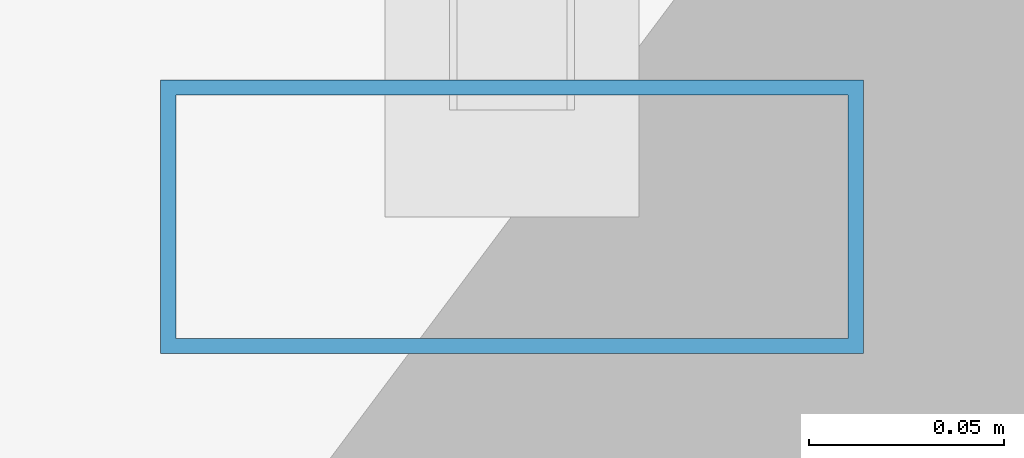
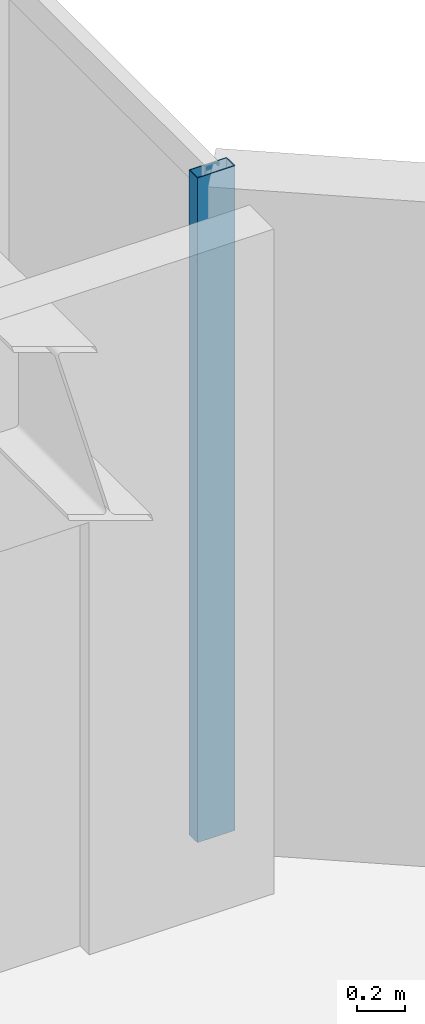
# One storey, part 10 of 25: 1 member, 1 element without a shape of its own.
"""IFC4 building model written with IfcOpenShell, lengths in metres."""

from ifc_helpers import new_model, si_unit, direction, frame, origin, origin_2d, place, context, subcontext, project, spatial, hollow_rectangle, extrude, material, layer, layer_set, material_profile, profile_set, type_object, element, aggregate, save


model = new_model("IFC4")

# Units and contexts
model_context = context("Model", 3, precision=1e-05, world=origin(), true_north=direction((0.0, 1.0)))
body_context = subcontext(model_context, "Body", "Model", "MODEL_VIEW")
ifc_project = project(units=[si_unit("LENGTHUNIT", "METRE"), si_unit("AREAUNIT", "SQUARE_METRE"), si_unit("VOLUMEUNIT", "CUBIC_METRE"), si_unit("PLANEANGLEUNIT", "RADIAN"), si_unit("MASSUNIT", "GRAM", prefix="KILO")], contexts=[model_context])

# Site, building, storey
site_placement = place(None, origin())
site = spatial("IfcSite", under=ifc_project, at=site_placement, CompositionType="ELEMENT")
building_placement = place(site_placement, origin())
building = spatial("IfcBuilding", under=site, at=building_placement, Name="Hatsunagi Terrace Concourse", CompositionType="ELEMENT")
storey_placement = place(building_placement, frame((0.0, 0.0, 220.35009765625)))
storey = spatial("IfcBuildingStorey", under=building, at=storey_placement, Name="L58", CompositionType="ELEMENT", Elevation=220.35009765625)

# Curtain wall, member
ifc_material_1 = material(Name="Anodised Aluminium Alloy 6063-T5", Category="aluminium")
ifc_layer = layer(ifc_material_1, 0.199951171875)
ifc_layer_set = layer_set([ifc_layer], Name="OfficeZone2_CW04")
curtain_wall_type = type_object("IfcCurtainWallType", Name="OfficeZone2_CW04", PredefinedType="NOTDEFINED", material=ifc_layer_set)
curtain_wall_placement = place(storey_placement, origin())
curtain_wall = element("IfcCurtainWall", 1, at=curtain_wall_placement, inside=storey, type_object=curtain_wall_type, Name="Unitised Curtain Wall CW-04 CW-L58-12", PredefinedType="NOTDEFINED")
ifc_material_2 = material(Name="Anodised Aluminium Alloy 6063-T5", Category="aluminium")
ifc_material_profile = material_profile(ifc_material_2, hollow_rectangle(XDim=0.070068359375, YDim=0.179931640625, WallThickness=0.00390625, at=origin_2d()), Name="ALU-MUL-180x70x4")
ifc_profile_set = profile_set([ifc_material_profile], Name="Anodised Aluminium Alloy 6063-T5")
member_type = type_object("IfcMemberType", Name="CurtainWallMullion_180x70", PredefinedType="MULLION", material=ifc_profile_set)
member_placement = place(storey_placement, frame((44.860107421875, 40.72998046875, 0.0), z_axis=(0.0, 0.0, 1.0), x_axis=(0.0, -1.0, 0.0)))
member = element("IfcMember", 2, at=member_placement, type_object=member_type, Name="Curtain Wall Mullion MUL-02", PredefinedType="MULLION", context=body_context, shape_type="SweptSolid", body=[
    extrude(hollow_rectangle(XDim=0.070068359375, YDim=0.179931640625, WallThickness=0.00390625, at=origin_2d()), origin(), (0.0, 0.0, 1.0), 3.349853515625),
])
aggregate(curtain_wall, [member])

save(model, "model.ifc")
